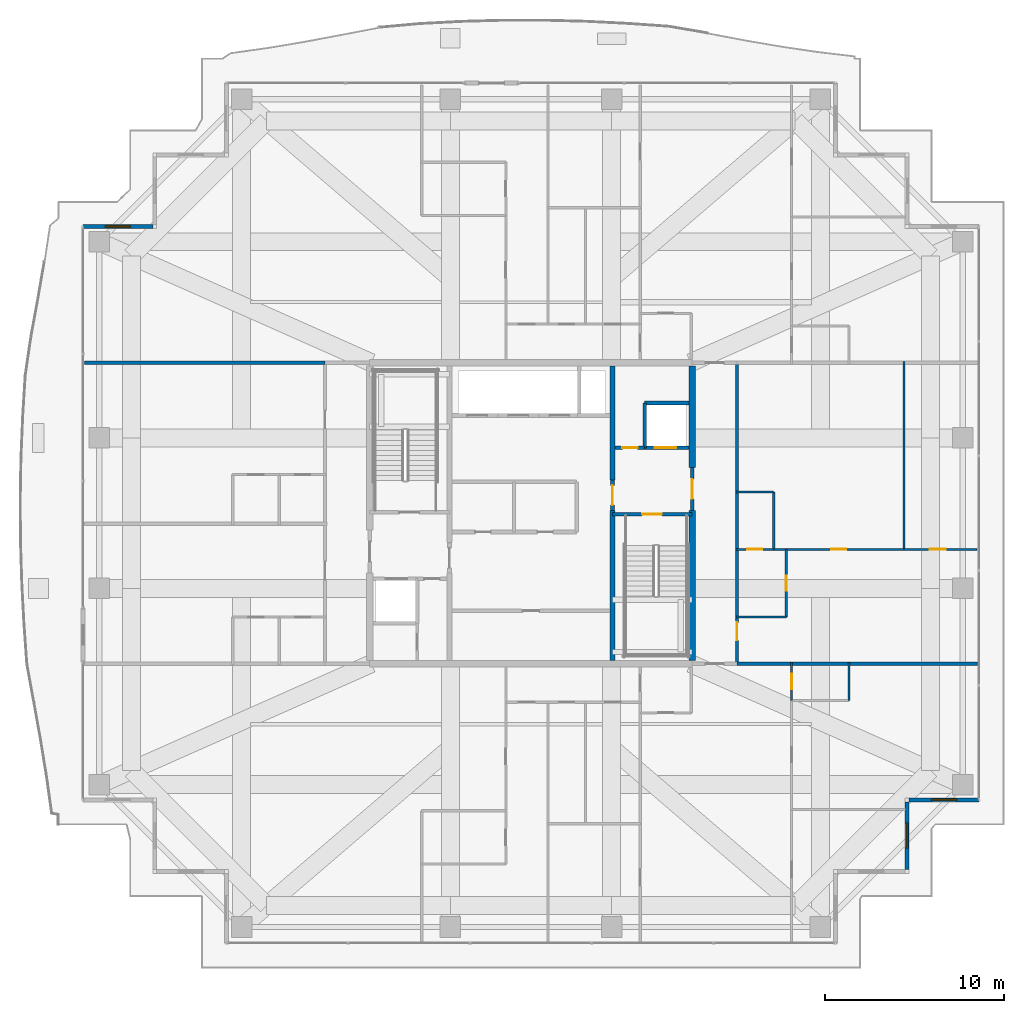
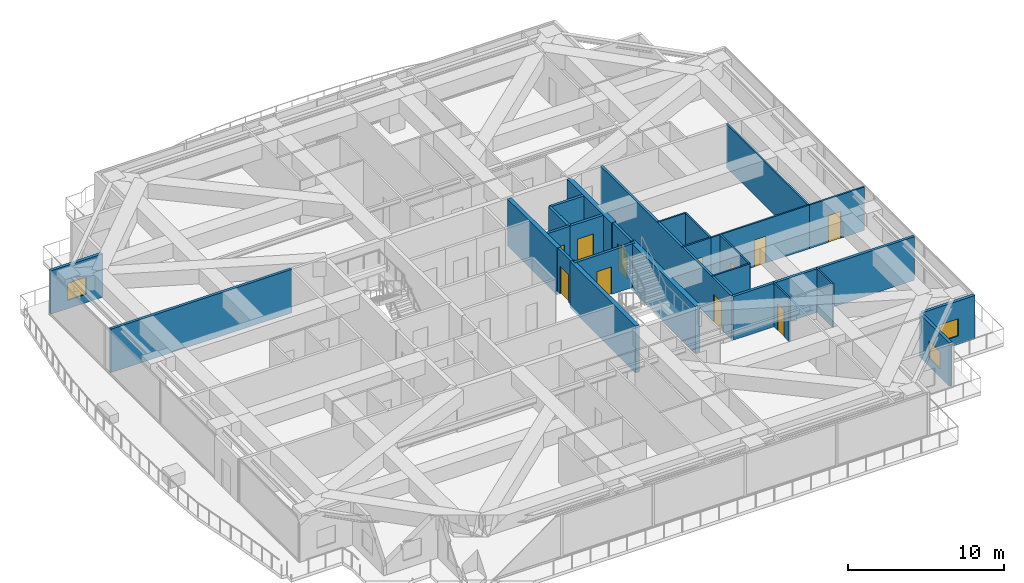
# One storey, part 30 of 39: 27 walls, 11 doors, 3 windows, 14 openings.
"""IFC4 building model written with IfcOpenShell, lengths in metres."""

from ifc_helpers import new_model, si_unit, direction, frame, frame_2d, origin, place, context, subcontext, project, spatial, rectangle, extrude, source, transform, mapped, material, layer, layer_set, type_object, element, fill, save


model = new_model("IFC4")

# Units and contexts
model_context = context("Model", 3, precision=1e-05, world=origin(), true_north=direction((0.0, 1.0)))
body_context = subcontext(model_context, "Body", "Model", "MODEL_VIEW")
ifc_project = project(units=[si_unit("LENGTHUNIT", "METRE"), si_unit("AREAUNIT", "SQUARE_METRE"), si_unit("VOLUMEUNIT", "CUBIC_METRE"), si_unit("PLANEANGLEUNIT", "RADIAN"), si_unit("MASSUNIT", "GRAM", prefix="KILO")], contexts=[model_context])

# Site, building, storey
site_placement = place(None, origin())
site = spatial("IfcSite", under=ifc_project, at=site_placement, CompositionType="ELEMENT")
building_placement = place(site_placement, origin())
building = spatial("IfcBuilding", under=site, at=building_placement, Name="Serunith Strait Residences", CompositionType="ELEMENT")
storey_placement = place(building_placement, frame((0.0, 0.0, 283.60009765625)))
storey = spatial("IfcBuildingStorey", under=building, at=storey_placement, Name="L71", CompositionType="ELEMENT", Elevation=283.60009765625)

# Wall, opening, window
ifc_material_1 = material(Name="Pale-Champagne Aluminium Insulated Panel", Category="aluminium")
ifc_layer_1 = layer(ifc_material_1, 0.219970703125, Name="Pale-Champagne Aluminium Insulated Panel")
ifc_layer_set_1 = layer_set([ifc_layer_1], Name="Pale-Champagne Aluminium Insulated Panel")
wall_type_1 = type_object("IfcWallType", Name="EW-ALUM-220", PredefinedType="ELEMENTEDWALL", material=ifc_layer_set_1)
wall_1_placement = place(storey_placement, frame((53.39990234375, 5.31005859375, 0.0), z_axis=(0.0, 0.0, 1.0), x_axis=(0.0, 1.0, 0.0)))
wall_1 = element("IfcWall", 1, at=wall_1_placement, inside=storey, type_object=wall_type_1, Name="L71 Girih Serrated Corner Wall 04", PredefinedType="ELEMENTEDWALL", context=body_context, shape_type="SweptSolid", body=[
    extrude(rectangle(XDim=3.780029296875, YDim=0.219970703125, at=frame_2d((1.89013671875, 0.0))), origin(), (0.0, 0.0, 1.0), 3.39501953125),
])
opening_1_placement = place(wall_1_placement, frame((1.18994140625, 0.0, 0.64990234375)))
opening_1 = element("IfcOpeningElement", 2, at=opening_1_placement, cuts=wall_1, Name="Opening W-09", PredefinedType="OPENING", context=body_context, shape_type="SweptSolid", body=[
    extrude(rectangle(XDim=1.39990234375, YDim=1.35009765625, at=frame_2d((0.699951171875, 0.675048828125))), frame((0.0, 0.1201171875, 0.0), z_axis=(0.0, -1.0, 0.0), x_axis=(1.0, 0.0, 0.0)), (0.0, 0.0, 1.0), 0.239990234375),
])
ifc_material_2 = material(Name="Setback Spandrel Ceramic-Fritted Operable Window Glass", Category="glass")
window_type = type_object("IfcWindowType", Name="WIN-C7", PartitioningType="DOUBLE_PANEL_VERTICAL", PredefinedType="WINDOW", material=ifc_material_2)
shared_shape_1 = source(origin(), body_context, "Body", "SweptSolid", [
    extrude(rectangle(XDim=1.39990234375, YDim=1.35009765625, at=frame_2d((0.699951171875, 0.675048828125))), frame((0.0, 0.030029296875, 0.0), z_axis=(0.0, -1.0, 0.0), x_axis=(1.0, 0.0, 0.0)), (0.0, 0.0, 1.0), 0.06005859375),
])
window_1_placement = place(opening_1_placement, origin())
window_1 = element("IfcWindow", 3, at=window_1_placement, inside=storey, type_object=window_type, Name="L71 Corner Operable Fritted Window 04", OverallHeight=1.35009765625, OverallWidth=1.39990234375, PartitioningType="SINGLE_PANEL", PredefinedType="WINDOW", context=body_context, shape_type="MappedRepresentation", body=[
    mapped(shared_shape_1, transform((0.0, 0.0, 0.0), scale=1.0)),
])
fill(opening_1, window_1)

wall_2_placement = place(storey_placement, frame((53.510009765625, 9.199951171875, 0.0), z_axis=(0.0, 0.0, 1.0), x_axis=(1.0, 0.0, 0.0)))
wall_2 = element("IfcWall", 4, at=wall_2_placement, inside=storey, type_object=wall_type_1, Name="L71 Girih Serrated Corner Wall 05", PredefinedType="ELEMENTEDWALL", context=body_context, shape_type="SweptSolid", body=[
    extrude(rectangle(XDim=3.889892578125, YDim=0.219970703125, at=frame_2d((1.94482421875, 0.0))), origin(), (0.0, 0.0, 1.0), 3.39501953125),
])
opening_2_placement = place(wall_2_placement, frame((1.2451171875, 0.0, 0.64990234375)))
opening_2 = element("IfcOpeningElement", 5, at=opening_2_placement, cuts=wall_2, Name="Opening W-09", PredefinedType="OPENING", context=body_context, shape_type="SweptSolid", body=[
    extrude(rectangle(XDim=1.39990234375, YDim=1.35009765625, at=frame_2d((0.699951171875, 0.675048828125))), frame((0.0, 0.1201171875, 0.0), z_axis=(0.0, -1.0, 0.0), x_axis=(1.0, 0.0, 0.0)), (0.0, 0.0, 1.0), 0.239990234375),
])
window_2_placement = place(opening_2_placement, origin())
window_2 = element("IfcWindow", 6, at=window_2_placement, inside=storey, type_object=window_type, Name="L71 Corner Operable Fritted Window 05", OverallHeight=1.35009765625, OverallWidth=1.39990234375, PartitioningType="SINGLE_PANEL", PredefinedType="WINDOW", context=body_context, shape_type="MappedRepresentation", body=[
    mapped(shared_shape_1, transform((0.0, 0.0, 0.0), scale=1.0)),
])
fill(opening_2, window_2)

wall_3_placement = place(storey_placement, frame((11.2900390625, 41.199951171875, 0.0), z_axis=(0.0, 0.0, 1.0), x_axis=(-1.0, 0.0, 0.0)))
wall_3 = element("IfcWall", 7, at=wall_3_placement, inside=storey, type_object=wall_type_1, Name="L71 Girih Serrated Corner Wall 15", PredefinedType="ELEMENTEDWALL", context=body_context, shape_type="SweptSolid", body=[
    extrude(rectangle(XDim=3.89013671875, YDim=0.219970703125, at=frame_2d((1.945068359375, 0.0))), origin(), (0.0, 0.0, 1.0), 3.39501953125),
])
opening_3_placement = place(wall_3_placement, frame((1.2451171875, 0.0, 0.64990234375)))
opening_3 = element("IfcOpeningElement", 8, at=opening_3_placement, cuts=wall_3, Name="Opening W-09", PredefinedType="OPENING", context=body_context, shape_type="SweptSolid", body=[
    extrude(rectangle(XDim=1.39990234375, YDim=1.35009765625, at=frame_2d((0.699951171875, 0.675048828125))), frame((0.0, 0.1201171875, 0.0), z_axis=(0.0, -1.0, 0.0), x_axis=(1.0, 0.0, 0.0)), (0.0, 0.0, 1.0), 0.239990234375),
])
window_3_placement = place(opening_3_placement, origin())
window_3 = element("IfcWindow", 9, at=window_3_placement, inside=storey, type_object=window_type, Name="L71 Corner Operable Fritted Window 15", OverallHeight=1.35009765625, OverallWidth=1.39990234375, PartitioningType="SINGLE_PANEL", PredefinedType="WINDOW", context=body_context, shape_type="MappedRepresentation", body=[
    mapped(shared_shape_1, transform((0.0, 0.0, 0.0), scale=1.0)),
])
fill(opening_3, window_3)

# Wall, opening, door
ifc_material_3 = material(Name="Fire-rated acoustic gypsum partition")
ifc_layer_2 = layer(ifc_material_3, 0.179931640625, Name="Fire-rated acoustic gypsum partition")
ifc_layer_set_2 = layer_set([ifc_layer_2], Name="Fire-rated acoustic gypsum partition")
wall_type_2 = type_object("IfcWallType", Name="IW-CORR-180", PredefinedType="PARTITIONING", material=ifc_layer_set_2)
wall_4_placement = place(storey_placement, frame((43.89990234375, 16.800048828125, 0.0), z_axis=(0.0, 0.0, 1.0), x_axis=(0.0, 1.0, 0.0)))
wall_4 = element("IfcWall", 10, at=wall_4_placement, inside=storey, type_object=wall_type_2, Name="L71 Partition Wall 028", PredefinedType="PARTITIONING", context=body_context, shape_type="SweptSolid", body=[
    extrude(rectangle(XDim=16.800048828125, YDim=0.179931640625, at=frame_2d((8.39990234375, 0.0))), origin(), (0.0, 0.0, 1.0), 3.409912109375),
])
opening_4_placement = place(wall_4_placement, frame((1.300048828125, 0.0, 0.0)))
opening_4 = element("IfcOpeningElement", 11, at=opening_4_placement, cuts=wall_4, Name="Opening D-APT1000", PredefinedType="OPENING", context=body_context, shape_type="SweptSolid", body=[
    extrude(rectangle(XDim=1.0, YDim=2.14990234375, at=frame_2d((0.5, 1.074951171875))), frame((0.0, 0.10009765625, 0.0), z_axis=(0.0, -1.0, 0.0), x_axis=(1.0, 0.0, 0.0)), (0.0, 0.0, 1.0), 0.199951171875),
])
ifc_material_4 = material(Name="Solid timber engineered fire door", Category="wood")
door_type_1 = type_object("IfcDoorType", Name="ID-APT-1000", OperationType="NOTDEFINED", PredefinedType="DOOR", material=ifc_material_4)
shared_shape_2 = source(origin(), body_context, "Body", "SweptSolid", [
    extrude(rectangle(XDim=1.0, YDim=2.14990234375, at=frame_2d((0.5, 1.074951171875))), frame((0.0, 0.02490234375, 0.0), z_axis=(0.0, -1.0, 0.0), x_axis=(1.0, 0.0, 0.0)), (0.0, 0.0, 1.0), 0.050048828125),
])
door_1_placement = place(opening_4_placement, origin())
door_1 = element("IfcDoor", 12, at=door_1_placement, inside=storey, type_object=door_type_1, Name="L71 Unit 05 Entrance Door", OperationType="SINGLE_SWING_LEFT", OverallHeight=2.14990234375, OverallWidth=1.0, PredefinedType="DOOR", context=body_context, shape_type="MappedRepresentation", body=[
    mapped(shared_shape_2, transform((0.0, 0.0, 0.0), scale=1.0)),
])
fill(opening_4, door_1)

# Wall
ifc_material_5 = material(Name="Lightweight steel-stud gypsum partition", Category="steel")
ifc_layer_3 = layer(ifc_material_5, 0.1201171875, Name="Lightweight steel-stud gypsum partition")
ifc_layer_set_3 = layer_set([ifc_layer_3], Name="Lightweight steel-stud gypsum partition")
wall_type_3 = type_object("IfcWallType", Name="IW-PART-120", PredefinedType="PARTITIONING", material=ifc_layer_set_3)
wall_5_placement = place(storey_placement, frame((50.14990234375, 14.75, 0.0), z_axis=(0.0, 0.0, 1.0), x_axis=(0.0, 1.0, 0.0)))
element("IfcWall", 13, at=wall_5_placement, inside=storey, type_object=wall_type_3, Name="L71 Partition Wall 049", PredefinedType="PARTITIONING", context=body_context, shape_type="SweptSolid", body=[
    extrude(rectangle(XDim=2.110107421875, YDim=0.1201171875, at=frame_2d((1.05517578125, 0.0))), origin(), (0.0, 0.0, 1.0), 3.409912109375),
])

# Wall, opening, door
wall_6_placement = place(storey_placement, frame((46.949951171875, 14.751953125, 0.0), z_axis=(0.0, 0.0, 1.0), x_axis=(0.0, 1.0, 0.0)))
wall_6 = element("IfcWall", 14, at=wall_6_placement, inside=storey, type_object=wall_type_3, Name="L71 Partition Wall 051", PredefinedType="PARTITIONING", context=body_context, shape_type="SweptSolid", body=[
    extrude(rectangle(XDim=2.108154296875, YDim=0.1201171875, at=frame_2d((1.05419921875, 0.0))), origin(), (0.0, 0.0, 1.0), 3.409912109375),
])
opening_5_placement = place(wall_6_placement, frame((0.62890625, 0.0, 0.0)))
opening_5 = element("IfcOpeningElement", 15, at=opening_5_placement, cuts=wall_6, Name="Opening D-BTH850", PredefinedType="OPENING", context=body_context, shape_type="SweptSolid", body=[
    extrude(rectangle(XDim=0.85009765625, YDim=2.10009765625, at=frame_2d((0.425048828125, 1.050048828125))), frame((0.0, 0.070068359375, 0.0), z_axis=(0.0, -1.0, 0.0), x_axis=(1.0, 0.0, 0.0)), (0.0, 0.0, 1.0), 0.14013671875),
])
ifc_material_6 = material(Name="Moisture-resistant timber bathroom door", Category="wood")
door_type_2 = type_object("IfcDoorType", Name="ID-BATH-850", OperationType="NOTDEFINED", PredefinedType="DOOR", material=ifc_material_6)
shared_shape_3 = source(origin(), body_context, "Body", "SweptSolid", [
    extrude(rectangle(XDim=0.85009765625, YDim=2.10009765625, at=frame_2d((0.425048828125, 1.050048828125))), frame((0.0, 0.02490234375, 0.0), z_axis=(0.0, -1.0, 0.0), x_axis=(1.0, 0.0, 0.0)), (0.0, 0.0, 1.0), 0.050048828125),
])
door_2_placement = place(opening_5_placement, origin())
door_2 = element("IfcDoor", 16, at=door_2_placement, inside=storey, type_object=door_type_2, Name="L71 Bathroom 7101 Door", OperationType="SINGLE_SWING_RIGHT", OverallHeight=2.10009765625, OverallWidth=0.85009765625, PredefinedType="DOOR", context=body_context, shape_type="MappedRepresentation", body=[
    mapped(shared_shape_3, transform((0.0, 0.0, 0.0), scale=1.0)),
])
fill(opening_5, door_2)

wall_7_placement = place(storey_placement, frame((46.64990234375, 19.39990234375, 0.0), z_axis=(0.0, 0.0, 1.0), x_axis=(0.0, 1.0, 0.0)))
wall_7 = element("IfcWall", 17, at=wall_7_placement, inside=storey, type_object=wall_type_3, Name="L71 Partition Wall 083", PredefinedType="PARTITIONING", context=body_context, shape_type="SweptSolid", body=[
    extrude(rectangle(XDim=3.780029296875, YDim=0.1201171875, at=frame_2d((1.89013671875, 0.0))), origin(), (0.0, 0.0, 1.0), 3.409912109375),
])
opening_6_placement = place(wall_7_placement, frame((1.465087890625, 0.0, 0.0)))
opening_6 = element("IfcOpeningElement", 18, at=opening_6_placement, cuts=wall_7, Name="Opening D-RM850", PredefinedType="OPENING", context=body_context, shape_type="SweptSolid", body=[
    extrude(rectangle(XDim=0.85009765625, YDim=2.10009765625, at=frame_2d((0.425048828125, 1.050048828125))), frame((0.0, 0.070068359375, 0.0), z_axis=(0.0, -1.0, 0.0), x_axis=(1.0, 0.0, 0.0)), (0.0, 0.0, 1.0), 0.14013671875),
])
ifc_material_7 = material(Name="Engineered timber flush study and kitchen door", Category="wood")
door_type_3 = type_object("IfcDoorType", Name="ID-ROOM-850", OperationType="NOTDEFINED", PredefinedType="DOOR", material=ifc_material_7)
door_3_placement = place(opening_6_placement, origin())
door_3 = element("IfcDoor", 19, at=door_3_placement, inside=storey, type_object=door_type_3, Name="L71 Kitchen 7105 Door", OperationType="SINGLE_SWING_RIGHT", OverallHeight=2.10009765625, OverallWidth=0.85009765625, PredefinedType="DOOR", context=body_context, shape_type="MappedRepresentation", body=[
    mapped(shared_shape_3, transform((0.0, 0.0, 0.0), scale=1.0)),
])
fill(opening_6, door_3)

# Wall
wall_8_placement = place(storey_placement, frame((46.64990234375, 19.39990234375, 0.0), z_axis=(0.0, 0.0, 1.0), x_axis=(-1.0, 0.0, 0.0)))
element("IfcWall", 20, at=wall_8_placement, inside=storey, type_object=wall_type_3, Name="L71 Partition Wall 084", PredefinedType="PARTITIONING", context=body_context, shape_type="SweptSolid", body=[
    extrude(rectangle(XDim=2.809814453125, YDim=0.1201171875, at=frame_2d((1.40478515625, 0.0))), origin(), (0.0, 0.0, 1.0), 3.409912109375),
])

# Wall, opening, door
wall_9_placement = place(storey_placement, frame((57.304931640625, 23.179931640625, 0.0), z_axis=(0.0, 0.0, 1.0), x_axis=(-1.0, 0.0, 0.0)))
wall_9 = element("IfcWall", 21, at=wall_9_placement, inside=storey, type_object=wall_type_3, Name="L71 Partition Wall 085", PredefinedType="PARTITIONING", context=body_context, shape_type="SweptSolid", body=[
    extrude(rectangle(XDim=4.0888671875, YDim=0.1201171875, at=frame_2d((2.04443359375, 0.0))), origin(), (0.0, 0.0, 1.0), 3.409912109375),
])
opening_7_placement = place(wall_9_placement, frame((1.75390625, 0.0, 0.0)))
opening_7 = element("IfcOpeningElement", 22, at=opening_7_placement, cuts=wall_9, Name="Opening D-RM900", PredefinedType="OPENING", context=body_context, shape_type="SweptSolid", body=[
    extrude(rectangle(XDim=0.89990234375, YDim=2.10009765625, at=frame_2d((0.449951171875, 1.050048828125))), frame((0.0, 0.070068359375, 0.0), z_axis=(0.0, -1.0, 0.0), x_axis=(1.0, 0.0, 0.0)), (0.0, 0.0, 1.0), 0.14013671875),
])
ifc_material_8 = material(Name="Engineered timber flush bedroom door", Category="wood")
door_type_4 = type_object("IfcDoorType", Name="ID-ROOM-900", OperationType="NOTDEFINED", PredefinedType="DOOR", material=ifc_material_8)
shared_shape_4 = source(origin(), body_context, "Body", "SweptSolid", [
    extrude(rectangle(XDim=0.89990234375, YDim=2.10009765625, at=frame_2d((0.449951171875, 1.050048828125))), frame((0.0, 0.02490234375, 0.0), z_axis=(0.0, -1.0, 0.0), x_axis=(1.0, 0.0, 0.0)), (0.0, 0.0, 1.0), 0.050048828125),
])
door_4_placement = place(opening_7_placement, origin())
door_4 = element("IfcDoor", 23, at=door_4_placement, inside=storey, type_object=door_type_4, Name="L71 Master Bedroom 1 7105 Door", OperationType="SINGLE_SWING_LEFT", OverallHeight=2.10009765625, OverallWidth=0.89990234375, PredefinedType="DOOR", context=body_context, shape_type="MappedRepresentation", body=[
    mapped(shared_shape_4, transform((0.0, 0.0, 0.0), scale=1.0)),
])
fill(opening_7, door_4)

# Walls
wall_10_placement = place(storey_placement, frame((53.216064453125, 23.179931640625, 0.0), z_axis=(0.0, 0.0, 1.0), x_axis=(0.0, 1.0, 0.0)))
element("IfcWall", 24, at=wall_10_placement, inside=storey, type_object=wall_type_3, Name="L71 Partition Wall 086", PredefinedType="PARTITIONING", context=body_context, shape_type="SweptSolid", body=[
    extrude(rectangle(XDim=10.47998046875, YDim=0.1201171875, at=frame_2d((5.239990234375, 0.0))), origin(), (0.0, 0.0, 1.0), 3.409912109375),
])
wall_11_placement = place(storey_placement, frame((45.949951171875, 23.179931640625, 0.0), z_axis=(0.0, 0.0, 1.0), x_axis=(0.0, 1.0, 0.0)))
element("IfcWall", 25, at=wall_11_placement, inside=storey, type_object=wall_type_3, Name="L71 Partition Wall 087", PredefinedType="PARTITIONING", context=body_context, shape_type="SweptSolid", body=[
    extrude(rectangle(XDim=3.199951171875, YDim=0.1201171875, at=frame_2d((1.60009765625, 0.0))), origin(), (0.0, 0.0, 1.0), 3.409912109375),
])
wall_12_placement = place(storey_placement, frame((45.949951171875, 26.3798828125, 0.0), z_axis=(0.0, 0.0, 1.0), x_axis=(-1.0, 0.0, 0.0)))
element("IfcWall", 26, at=wall_12_placement, inside=storey, type_object=wall_type_3, Name="L71 Partition Wall 088", PredefinedType="PARTITIONING", context=body_context, shape_type="SweptSolid", body=[
    extrude(rectangle(XDim=2.10986328125, YDim=0.1201171875, at=frame_2d((1.054931640625, 0.0))), origin(), (0.0, 0.0, 1.0), 3.409912109375),
])

# Wall, opening, door
wall_13_placement = place(storey_placement, frame((53.214111328125, 23.179931640625, 0.0), z_axis=(0.0, 0.0, 1.0), x_axis=(-1.0, 0.0, 0.0)))
wall_13 = element("IfcWall", 27, at=wall_13_placement, inside=storey, type_object=wall_type_3, Name="L71 Partition Wall 089", PredefinedType="PARTITIONING", context=body_context, shape_type="SweptSolid", body=[
    extrude(rectangle(XDim=7.26416015625, YDim=0.1201171875, at=frame_2d((3.632080078125, 0.0))), origin(), (0.0, 0.0, 1.0), 3.409912109375),
])
opening_8_placement = place(wall_13_placement, frame((3.20703125, 0.0, 0.0)))
opening_8 = element("IfcOpeningElement", 28, at=opening_8_placement, cuts=wall_13, Name="Opening D-RM850", PredefinedType="OPENING", context=body_context, shape_type="SweptSolid", body=[
    extrude(rectangle(XDim=0.85009765625, YDim=2.10009765625, at=frame_2d((0.425048828125, 1.050048828125))), frame((0.0, 0.070068359375, 0.0), z_axis=(0.0, -1.0, 0.0), x_axis=(1.0, 0.0, 0.0)), (0.0, 0.0, 1.0), 0.14013671875),
])
door_5_placement = place(opening_8_placement, origin())
door_5 = element("IfcDoor", 29, at=door_5_placement, inside=storey, type_object=door_type_3, Name="L71 Walk-in Wardrobe 7105 Door", OperationType="SINGLE_SWING_RIGHT", OverallHeight=2.10009765625, OverallWidth=0.85009765625, PredefinedType="DOOR", context=body_context, shape_type="MappedRepresentation", body=[
    mapped(shared_shape_3, transform((0.0, 0.0, 0.0), scale=1.0)),
])
fill(opening_8, door_5)

wall_14_placement = place(storey_placement, frame((45.947998046875, 23.179931640625, 0.0), z_axis=(0.0, 0.0, 1.0), x_axis=(-1.0, 0.0, 0.0)))
wall_14 = element("IfcWall", 30, at=wall_14_placement, inside=storey, type_object=wall_type_3, Name="L71 Partition Wall 090", PredefinedType="PARTITIONING", context=body_context, shape_type="SweptSolid", body=[
    extrude(rectangle(XDim=2.10791015625, YDim=0.1201171875, at=frame_2d((1.053955078125, 0.0))), origin(), (0.0, 0.0, 1.0), 3.409912109375),
])
opening_9_placement = place(wall_14_placement, frame((0.62890625, 0.0, 0.0)))
opening_9 = element("IfcOpeningElement", 31, at=opening_9_placement, cuts=wall_14, Name="Opening D-BTH850", PredefinedType="OPENING", context=body_context, shape_type="SweptSolid", body=[
    extrude(rectangle(XDim=0.85009765625, YDim=2.10009765625, at=frame_2d((0.425048828125, 1.050048828125))), frame((0.0, 0.070068359375, 0.0), z_axis=(0.0, -1.0, 0.0), x_axis=(1.0, 0.0, 0.0)), (0.0, 0.0, 1.0), 0.14013671875),
])
door_6_placement = place(opening_9_placement, origin())
door_6 = element("IfcDoor", 32, at=door_6_placement, inside=storey, type_object=door_type_2, Name="L71 Bathroom 7105 Door", OperationType="SINGLE_SWING_LEFT", OverallHeight=2.10009765625, OverallWidth=0.85009765625, PredefinedType="DOOR", context=body_context, shape_type="MappedRepresentation", body=[
    mapped(shared_shape_3, transform((0.0, 0.0, 0.0), scale=1.0)),
])
fill(opening_9, door_6)

# Walls
ifc_material_9 = material(Name="Twin-stud acoustic gypsum board partition")
ifc_layer_4 = layer(ifc_material_9, 0.199951171875, Name="Twin-stud acoustic gypsum board partition")
ifc_layer_set_4 = layer_set([ifc_layer_4], Name="Twin-stud acoustic gypsum board partition")
wall_type_4 = type_object("IfcWallType", Name="IW-PARTY-200", PredefinedType="PARTITIONING", material=ifc_layer_set_4)
wall_15_placement = place(storey_placement, frame((43.89990234375, 16.800048828125, 0.0), z_axis=(0.0, 0.0, 1.0), x_axis=(1.0, 0.0, 0.0)))
element("IfcWall", 33, at=wall_15_placement, inside=storey, type_object=wall_type_4, Name="L71 Partition Wall 020", PredefinedType="PARTITIONING", context=body_context, shape_type="SweptSolid", body=[
    extrude(rectangle(XDim=13.418212890625, YDim=0.199951171875, at=frame_2d((6.708984375, 0.0))), origin(), (0.0, 0.0, 1.0), 3.409912109375),
])
wall_16_placement = place(storey_placement, frame((7.48193359375, 33.60009765625, 0.0), z_axis=(0.0, 0.0, 1.0), x_axis=(1.0, 0.0, 0.0)))
element("IfcWall", 34, at=wall_16_placement, inside=storey, type_object=wall_type_4, Name="L71 Partition Wall 021", PredefinedType="PARTITIONING", context=body_context, shape_type="SweptSolid", body=[
    extrude(rectangle(XDim=13.41796875, YDim=0.199951171875, at=frame_2d((6.708984375, 0.0))), origin(), (0.0, 0.0, 1.0), 3.409912109375),
])

# Wall, opening, door
ifc_material_10 = material(Name="Autoclaved aerated concrete blockwork", Category="masonry")
ifc_layer_5 = layer(ifc_material_10, 0.199951171875, Name="Autoclaved aerated concrete blockwork")
ifc_layer_set_5 = layer_set([ifc_layer_5], Name="Autoclaved aerated concrete blockwork")
wall_type_5 = type_object("IfcWallType", Name="IW-SHAFT-200", PredefinedType="STANDARD", material=ifc_layer_set_5)
wall_17_placement = place(storey_placement, frame((36.949951171875, 25.14990234375, 0.0), z_axis=(0.0, 0.0, 1.0), x_axis=(1.0, 0.0, 0.0)))
wall_17 = element("IfcWall", 35, at=wall_17_placement, inside=storey, type_object=wall_type_5, Name="L71 ST-2 North Shaft Wall", PredefinedType="STANDARD", context=body_context, shape_type="SweptSolid", body=[
    extrude(rectangle(XDim=4.449951171875, YDim=0.199951171875, at=frame_2d((2.22509765625, 0.0))), origin(), (0.0, 0.0, 1.0), 3.409912109375),
])
opening_10_placement = place(wall_17_placement, frame((1.64990234375, 0.0, 0.0)))
opening_10 = element("IfcOpeningElement", 36, at=opening_10_placement, cuts=wall_17, Name="Opening FD-1100", PredefinedType="OPENING", context=body_context, shape_type="SweptSolid", body=[
    extrude(rectangle(XDim=1.10009765625, YDim=2.14990234375, at=frame_2d((0.550048828125, 1.074951171875))), frame((0.0, 0.10986328125, 0.0), z_axis=(0.0, -1.0, 0.0), x_axis=(1.0, 0.0, 0.0)), (0.0, 0.0, 1.0), 0.219970703125),
])
ifc_material_11 = material(Name="Galvanised steel fire door leaf", Category="steel")
door_type_5 = type_object("IfcDoorType", Name="FD-STAIR-1100", OperationType="NOTDEFINED", PredefinedType="DOOR", material=ifc_material_11)
shared_shape_5 = source(origin(), body_context, "Body", "SweptSolid", [
    extrude(rectangle(XDim=1.10009765625, YDim=2.14990234375, at=frame_2d((0.550048828125, 1.074951171875))), frame((0.0, 0.02490234375, 0.0), z_axis=(0.0, -1.0, 0.0), x_axis=(1.0, 0.0, 0.0)), (0.0, 0.0, 1.0), 0.050048828125),
])
door_7_placement = place(opening_10_placement, origin())
door_7 = element("IfcDoor", 37, at=door_7_placement, inside=storey, type_object=door_type_5, Name="L71 ST-2 Escape Stair Door", OperationType="SINGLE_SWING_RIGHT", OverallHeight=2.14990234375, OverallWidth=1.10009765625, PredefinedType="DOOR", context=body_context, shape_type="MappedRepresentation", body=[
    mapped(shared_shape_5, transform((0.0, 0.0, 0.0), scale=1.0)),
])
fill(opening_10, door_7)

wall_18_placement = place(storey_placement, frame((38.75, 28.85009765625, 0.0), z_axis=(0.0, 0.0, 1.0), x_axis=(1.0, 0.0, 0.0)))
wall_18 = element("IfcWall", 38, at=wall_18_placement, inside=storey, type_object=wall_type_5, Name="L71 FL-2 South Shaft Wall", PredefinedType="STANDARD", context=body_context, shape_type="SweptSolid", body=[
    extrude(rectangle(XDim=2.47509765625, YDim=0.199951171875, at=frame_2d((1.237548828125, 0.0))), origin(), (0.0, 0.0, 1.0), 3.409912109375),
])
opening_11_placement = place(wall_18_placement, frame((0.550048828125, 0.0, 0.0)))
opening_11 = element("IfcOpeningElement", 39, at=opening_11_placement, cuts=wall_18, Name="Opening LD-FF1200", PredefinedType="OPENING", context=body_context, shape_type="SweptSolid", body=[
    extrude(rectangle(XDim=1.199951171875, YDim=2.199951171875, at=frame_2d((0.60009765625, 1.10009765625))), frame((0.0, 0.10986328125, 0.0), z_axis=(0.0, -1.0, 0.0), x_axis=(1.0, 0.0, 0.0)), (0.0, 0.0, 1.0), 0.219970703125),
])
ifc_material_12 = material(Name="Brushed stainless steel landing door", Category="steel")
door_type_6 = type_object("IfcDoorType", Name="LD-FF-1200", OperationType="DOUBLE_DOOR_SLIDING", PredefinedType="DOOR", material=ifc_material_12)
shared_shape_6 = source(origin(), body_context, "Body", "SweptSolid", [
    extrude(rectangle(XDim=1.199951171875, YDim=2.199951171875, at=frame_2d((0.60009765625, 1.10009765625))), frame((0.0, 0.02490234375, 0.0), z_axis=(0.0, -1.0, 0.0), x_axis=(1.0, 0.0, 0.0)), (0.0, 0.0, 1.0), 0.050048828125),
])
door_8_placement = place(opening_11_placement, origin())
door_8 = element("IfcDoor", 40, at=door_8_placement, inside=storey, type_object=door_type_6, Name="L71 FL-2 Landing Door", OperationType="DOUBLE_DOOR_SLIDING", OverallHeight=2.199951171875, OverallWidth=1.199951171875, PredefinedType="DOOR", context=body_context, shape_type="MappedRepresentation", body=[
    mapped(shared_shape_6, transform((0.0, 0.0, 0.0), scale=1.0)),
])
fill(opening_11, door_8)

# Walls
wall_19_placement = place(storey_placement, frame((38.75, 28.85009765625, 0.0), z_axis=(0.0, 0.0, 1.0), x_axis=(0.0, 1.0, 0.0)))
element("IfcWall", 41, at=wall_19_placement, inside=storey, type_object=wall_type_5, Name="L71 Partition Wall 004", PredefinedType="STANDARD", context=body_context, shape_type="SweptSolid", body=[
    extrude(rectangle(XDim=2.5, YDim=0.199951171875, at=frame_2d((1.25, 0.0))), origin(), (0.0, 0.0, 1.0), 3.409912109375),
])
wall_20_placement = place(storey_placement, frame((38.75, 31.35009765625, 0.0), z_axis=(0.0, 0.0, 1.0), x_axis=(1.0, 0.0, 0.0)))
element("IfcWall", 42, at=wall_20_placement, inside=storey, type_object=wall_type_5, Name="L71 Partition Wall 005", PredefinedType="STANDARD", context=body_context, shape_type="SweptSolid", body=[
    extrude(rectangle(XDim=2.47509765625, YDim=0.199951171875, at=frame_2d((1.237548828125, 0.0))), origin(), (0.0, 0.0, 1.0), 3.409912109375),
])

# Wall, opening, door
wall_21_placement = place(storey_placement, frame((37.10009765625, 28.85009765625, 0.0), z_axis=(0.0, 0.0, 1.0), x_axis=(1.0, 0.0, 0.0)))
wall_21 = element("IfcWall", 43, at=wall_21_placement, inside=storey, type_object=wall_type_5, Name="L71 Partition Wall 006", PredefinedType="STANDARD", context=body_context, shape_type="SweptSolid", body=[
    extrude(rectangle(XDim=1.64794921875, YDim=0.199951171875, at=frame_2d((0.823974609375, 0.0))), origin(), (0.0, 0.0, 1.0), 3.409912109375),
])
opening_12_placement = place(wall_21_placement, frame((0.39892578125, 0.0, 0.0)))
opening_12 = element("IfcOpeningElement", 44, at=opening_12_placement, cuts=wall_21, Name="Opening FD-850", PredefinedType="OPENING", context=body_context, shape_type="SweptSolid", body=[
    extrude(rectangle(XDim=0.85009765625, YDim=2.10009765625, at=frame_2d((0.425048828125, 1.050048828125))), frame((0.0, 0.10986328125, 0.0), z_axis=(0.0, -1.0, 0.0), x_axis=(1.0, 0.0, 0.0)), (0.0, 0.0, 1.0), 0.219970703125),
])
ifc_material_13 = material(Name="Powder-coated steel service closet door", Category="steel")
door_type_7 = type_object("IfcDoorType", Name="FD-BOH-850", OperationType="NOTDEFINED", PredefinedType="DOOR", material=ifc_material_13)
door_9_placement = place(opening_12_placement, origin())
door_9 = element("IfcDoor", 45, at=door_9_placement, inside=storey, type_object=door_type_7, Name="L71 North-East Core Service Door", OperationType="SINGLE_SWING_RIGHT", OverallHeight=2.10009765625, OverallWidth=0.85009765625, PredefinedType="DOOR", context=body_context, shape_type="MappedRepresentation", body=[
    mapped(shared_shape_3, transform((0.0, 0.0, 0.0), scale=1.0)),
])
fill(opening_12, door_9)

wall_22_placement = place(storey_placement, frame((41.39990234375, 25.35205078125, 0.0), z_axis=(0.0, 0.0, 1.0), x_axis=(0.0, 1.0, 0.0)))
wall_22 = element("IfcWall", 46, at=wall_22_placement, inside=storey, type_object=wall_type_5, Name="L71 Partition Wall 008", PredefinedType="STANDARD", context=body_context, shape_type="SweptSolid", body=[
    extrude(rectangle(XDim=2.39599609375, YDim=0.199951171875, at=frame_2d((1.197998046875, 0.0))), origin(), (0.0, 0.0, 1.0), 3.409912109375),
])
opening_13_placement = place(wall_22_placement, frame((0.64794921875, 0.0, 0.0)))
opening_13 = element("IfcOpeningElement", 47, at=opening_13_placement, cuts=wall_22, Name="Opening FD-FFL", PredefinedType="OPENING", context=body_context, shape_type="SweptSolid", body=[
    extrude(rectangle(XDim=1.10009765625, YDim=2.14990234375, at=frame_2d((0.550048828125, 1.074951171875))), frame((0.0, 0.10986328125, 0.0), z_axis=(0.0, -1.0, 0.0), x_axis=(1.0, 0.0, 0.0)), (0.0, 0.0, 1.0), 0.219970703125),
])
ifc_material_14 = material(Name="Glazed steel smoke-lobby fire door", Category="steel")
door_type_8 = type_object("IfcDoorType", Name="FD-FFL-1100", OperationType="NOTDEFINED", PredefinedType="DOOR", material=ifc_material_14)
door_10_placement = place(opening_13_placement, origin())
door_10 = element("IfcDoor", 48, at=door_10_placement, inside=storey, type_object=door_type_8, Name="L71 FFL-2 Corridor Fire Door", OperationType="SINGLE_SWING_RIGHT", OverallHeight=2.14990234375, OverallWidth=1.10009765625, PredefinedType="DOOR", context=body_context, shape_type="MappedRepresentation", body=[
    mapped(shared_shape_5, transform((0.0, 0.0, 0.0), scale=1.0)),
])
fill(opening_13, door_10)

wall_23_placement = place(storey_placement, frame((36.949951171875, 25.35205078125, 0.0), z_axis=(0.0, 0.0, 1.0), x_axis=(0.0, 1.0, 0.0)))
wall_23 = element("IfcWall", 49, at=wall_23_placement, inside=storey, type_object=wall_type_5, Name="L71 Partition Wall 010", PredefinedType="STANDARD", context=body_context, shape_type="SweptSolid", body=[
    extrude(rectangle(XDim=1.696044921875, YDim=0.199951171875, at=frame_2d((0.84814453125, 0.0))), origin(), (0.0, 0.0, 1.0), 3.409912109375),
])
opening_14_placement = place(wall_23_placement, frame((0.298095703125, 0.0, 0.0)))
opening_14 = element("IfcOpeningElement", 50, at=opening_14_placement, cuts=wall_23, Name="Opening FD-FFL", PredefinedType="OPENING", context=body_context, shape_type="SweptSolid", body=[
    extrude(rectangle(XDim=1.10009765625, YDim=2.14990234375, at=frame_2d((0.550048828125, 1.074951171875))), frame((0.0, 0.10986328125, 0.0), z_axis=(0.0, -1.0, 0.0), x_axis=(1.0, 0.0, 0.0)), (0.0, 0.0, 1.0), 0.219970703125),
])
door_11_placement = place(opening_14_placement, origin())
door_11 = element("IfcDoor", 51, at=door_11_placement, inside=storey, type_object=door_type_8, Name="L71 FFL-2 Lift Lobby Door", OperationType="SINGLE_SWING_RIGHT", OverallHeight=2.14990234375, OverallWidth=1.10009765625, PredefinedType="DOOR", context=body_context, shape_type="MappedRepresentation", body=[
    mapped(shared_shape_5, transform((0.0, 0.0, 0.0), scale=1.0)),
])
fill(opening_14, door_11)

# Walls
ifc_material_15 = material(Name="Concrete C60/75", Category="concrete")
ifc_layer_6 = layer(ifc_material_15, 0.300048828125, Name="Concrete C60/75")
ifc_layer_set_6 = layer_set([ifc_layer_6], Name="Concrete C60/75")
wall_type_6 = type_object("IfcWallType", Name="SW-300-C60", PredefinedType="SHEAR", material=ifc_layer_set_6)
wall_24_placement = place(storey_placement, frame((36.949951171875, 16.97509765625, -0.260009765625), z_axis=(0.0, 0.0, 1.0), x_axis=(0.0, 1.0, 0.0)))
element("IfcWall", 52, at=wall_24_placement, inside=storey, type_object=wall_type_6, Name="L71 Core Internal East Web South Pier", PredefinedType="SHEAR", context=body_context, shape_type="SweptSolid", body=[
    extrude(rectangle(XDim=8.375, YDim=0.300048828125, at=frame_2d((4.1875, 0.0))), origin(), (0.0, 0.0, 1.0), 3.66796875),
])
wall_25_placement = place(storey_placement, frame((36.949951171875, 27.050048828125, -0.260009765625), z_axis=(0.0, 0.0, 1.0), x_axis=(0.0, 1.0, 0.0)))
element("IfcWall", 53, at=wall_25_placement, inside=storey, type_object=wall_type_6, Name="L71 Core Internal East Web North Pier", PredefinedType="SHEAR", context=body_context, shape_type="SweptSolid", body=[
    extrude(rectangle(XDim=6.375, YDim=0.300048828125, at=frame_2d((3.1875, 0.0))), origin(), (0.0, 0.0, 1.0), 3.66796875),
])
ifc_layer_7 = layer(ifc_material_15, 0.35009765625, Name="Concrete C60/75")
ifc_layer_set_7 = layer_set([ifc_layer_7], Name="Concrete C60/75")
wall_type_7 = type_object("IfcWallType", Name="SW-350-C60", PredefinedType="SHEAR", material=ifc_layer_set_7)
wall_26_placement = place(storey_placement, frame((41.39990234375, 16.97509765625, -0.260009765625), z_axis=(0.0, 0.0, 1.0), x_axis=(0.0, 1.0, 0.0)))
element("IfcWall", 54, at=wall_26_placement, inside=storey, type_object=wall_type_7, Name="L71 Core East Shear Wall South Pier", PredefinedType="SHEAR", context=body_context, shape_type="SweptSolid", body=[
    extrude(rectangle(XDim=8.375, YDim=0.35009765625, at=frame_2d((4.1875, 0.0))), origin(), (0.0, 0.0, 1.0), 3.66796875),
])
wall_27_placement = place(storey_placement, frame((41.39990234375, 27.75, -0.260009765625), z_axis=(0.0, 0.0, 1.0), x_axis=(0.0, 1.0, 0.0)))
element("IfcWall", 55, at=wall_27_placement, inside=storey, type_object=wall_type_7, Name="L71 Core East Shear Wall North Pier", PredefinedType="SHEAR", context=body_context, shape_type="SweptSolid", body=[
    extrude(rectangle(XDim=5.675048828125, YDim=0.35009765625, at=frame_2d((2.83740234375, 0.0))), origin(), (0.0, 0.0, 1.0), 3.66796875),
])

save(model, "model.ifc")
